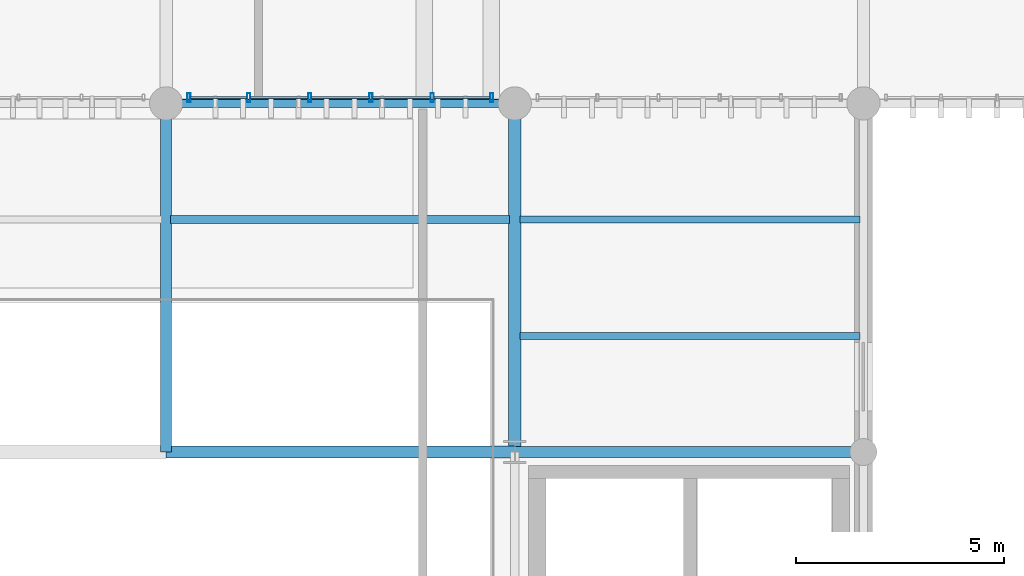
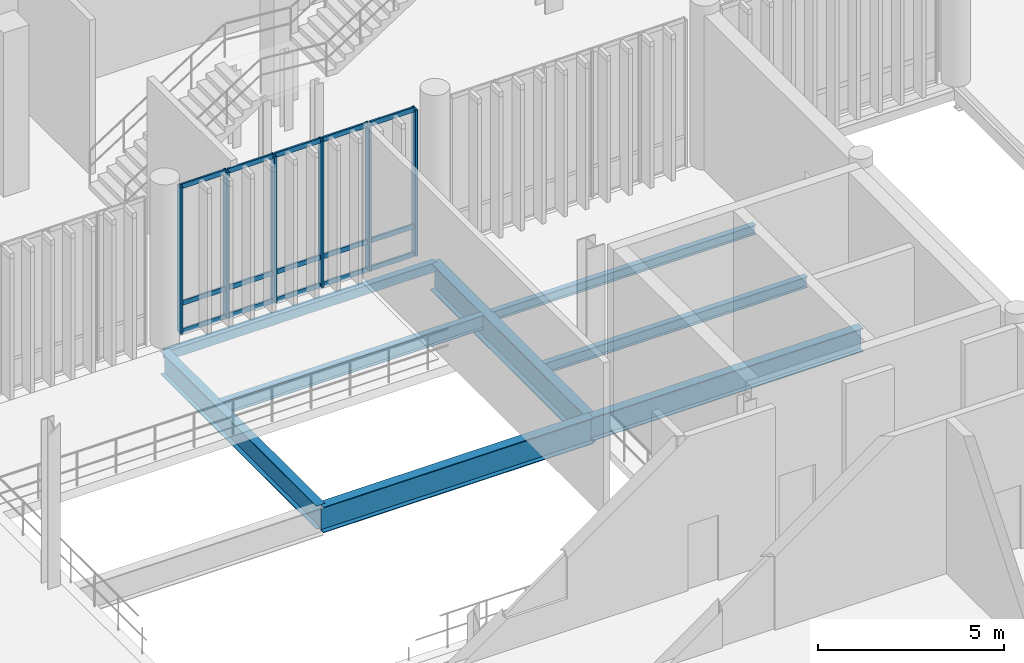
# One storey, part 17 of 128: 21 members, 8 beams, 1 element without a shape of its own.
"""IFC4 building model written with IfcOpenShell, lengths in metres."""

from ifc_helpers import new_model, si_unit, direction, frame, origin_with_axes, origin_2d_with_axis, place, context, subcontext, project, spatial, hollow_rectangle, i_section, extrude, material, material_profile, profile_set, type_object, element, aggregate, save


model = new_model("IFC4")

# Units and contexts
model_context = context("Model", 3, precision=1e-05, world=origin_with_axes(), true_north=direction((0.0, 1.0)))
body_context = subcontext(model_context, "Body", "Model", "MODEL_VIEW")
ifc_project = project(units=[si_unit("LENGTHUNIT", "METRE"), si_unit("AREAUNIT", "SQUARE_METRE"), si_unit("VOLUMEUNIT", "CUBIC_METRE"), si_unit("PLANEANGLEUNIT", "RADIAN"), si_unit("MASSUNIT", "GRAM", prefix="KILO"), si_unit("THERMODYNAMICTEMPERATUREUNIT", "KELVIN")], contexts=[model_context])

# Site, building, storey
site_placement = place(None, origin_with_axes())
site = spatial("IfcSite", under=ifc_project, at=site_placement, CompositionType="ELEMENT")
building_placement = place(site_placement, origin_with_axes())
building = spatial("IfcBuilding", under=site, at=building_placement, Name="Montbau Bow Law Courts", CompositionType="ELEMENT")
storey_placement = place(building_placement, frame((0.0, 0.0, 5.4), z_axis=(0.0, 0.0, 1.0), x_axis=(1.0, 0.0, 0.0)))
storey = spatial("IfcBuildingStorey", under=building, at=storey_placement, Name="L01", CompositionType="ELEMENT", Elevation=5.4)

# Beams
ifc_material_1 = material(Name="Steel CSA G40.21 Grade 350W (350 MPa)", Category="steel")
ifc_material_profile_1 = material_profile(ifc_material_1, i_section(OverallWidth=0.306, OverallDepth=0.919, WebThickness=0.0173, FlangeThickness=0.0279, at=origin_2d_with_axis()), Name="W920X253", Category="Main", Priority=0)
ifc_profile_set_1 = profile_set([ifc_material_profile_1], Name="Steel CSA G40.21 Grade 350W (350 MPa)")
beam_type_1 = type_object("IfcBeamType", Name="B-FLR-01", PredefinedType="BEAM", material=ifc_profile_set_1)
beam_1_placement = place(None, frame((30.6, 22.2, 4.64), z_axis=(0.0, 1.0, 0.0), x_axis=(-1.0, 0.0, 0.0)))
element("IfcBeam", 1, at=beam_1_placement, inside=storey, type_object=beam_type_1, Name="BM-L01-S0514:bm2_0517", PredefinedType="BEAM", context=body_context, shape_type="SweptSolid", body=[
    extrude(i_section(OverallWidth=0.306, OverallDepth=0.919, WebThickness=0.0173, FlangeThickness=0.0279, at=origin_2d_with_axis()), origin_with_axes(), (0.0, 0.0, 1.0), 8.4),
])
ifc_material_profile_2 = material_profile(ifc_material_1, i_section(OverallWidth=0.293, OverallDepth=0.846, WebThickness=0.0154, FlangeThickness=0.0244, at=origin_2d_with_axis()), Name="W840X210", Category="Main", Priority=0)
ifc_profile_set_2 = profile_set([ifc_material_profile_2], Name="Steel CSA G40.21 Grade 350W (350 MPa)")
beam_type_2 = type_object("IfcBeamType", Name="B-FLR-02", PredefinedType="BEAM", material=ifc_profile_set_2)
beam_2_placement = place(None, frame((22.2, 22.2, 4.677), z_axis=(1.0, 0.0, 0.0), x_axis=(0.0, 1.0, 0.0)))
element("IfcBeam", 2, at=beam_2_placement, inside=storey, type_object=beam_type_2, Name="BM-L01-S0498:bm2_0501", PredefinedType="BEAM", context=body_context, shape_type="SweptSolid", body=[
    extrude(i_section(OverallWidth=0.293, OverallDepth=0.846, WebThickness=0.0154, FlangeThickness=0.0244, at=origin_2d_with_axis()), origin_with_axes(), (0.0, 0.0, 1.0), 8.4),
])
ifc_material_profile_3 = material_profile(ifc_material_1, i_section(OverallWidth=0.267, OverallDepth=0.766, WebThickness=0.0149, FlangeThickness=0.0236, at=origin_2d_with_axis()), Name="W760X185", Category="Main", Priority=0)
ifc_profile_set_3 = profile_set([ifc_material_profile_3], Name="Steel CSA G40.21 Grade 350W (350 MPa)")
beam_type_3 = type_object("IfcBeamType", Name="B-FLR-03", PredefinedType="BEAM", material=ifc_profile_set_3)
for number, where, z_axis, x_axis, name in (
    (3, (30.6, 22.2, 4.717), (1.0, 0.0, 0.0), (0.0, 1.0, 0.0), "BM-L01-S0499:bm2_0502"),
    (4, (22.2, 22.2, 4.717), (0.0, 1.0, 0.0), (-1.0, 0.0, 0.0), "BM-L01-S0511:bm2_0514"),
):
    element("IfcBeam", number, at=place(None, frame(where, z_axis=z_axis, x_axis=x_axis)), inside=storey, type_object=beam_type_3, Name=name, PredefinedType="BEAM", context=body_context, shape_type="SweptSolid", body=[
        extrude(i_section(OverallWidth=0.267, OverallDepth=0.766, WebThickness=0.0149, FlangeThickness=0.0236, at=origin_2d_with_axis()), origin_with_axes(), (0.0, 0.0, 1.0), 8.4),
    ])
ifc_material_profile_4 = material_profile(ifc_material_1, i_section(OverallWidth=0.191, OverallDepth=0.46, WebThickness=0.0099, FlangeThickness=0.016, at=origin_2d_with_axis()), Name="W460X82", Category="Main", Priority=0)
ifc_profile_set_4 = profile_set([ifc_material_profile_4], Name="Steel CSA G40.21 Grade 350W (350 MPa)")
beam_type_4 = type_object("IfcBeamType", Name="B-JST-01", PredefinedType="JOIST", material=ifc_profile_set_4)
beam_3_placement = place(None, frame((22.309, 27.8, 4.87), z_axis=(1.0, 0.0, 0.0), x_axis=(0.0, 1.0, 0.0)))
element("IfcBeam", 5, at=beam_3_placement, inside=storey, type_object=beam_type_4, Name="JST-L01-S0244:jst2_0244", PredefinedType="JOIST", context=body_context, shape_type="SweptSolid", body=[
    extrude(i_section(OverallWidth=0.191, OverallDepth=0.46, WebThickness=0.0099, FlangeThickness=0.016, at=origin_2d_with_axis()), origin_with_axes(), (0.0, 0.0, 1.0), 8.162),
])
ifc_material_profile_5 = material_profile(ifc_material_1, i_section(OverallWidth=0.172, OverallDepth=0.358, WebThickness=0.0079, FlangeThickness=0.0131, at=origin_2d_with_axis()), Name="W360X57", Category="Main", Priority=0)
ifc_profile_set_5 = profile_set([ifc_material_profile_5], Name="Steel CSA G40.21 Grade 350W (350 MPa)")
beam_type_5 = type_object("IfcBeamType", Name="B-JST-03", PredefinedType="JOIST", material=ifc_profile_set_5)
beam_4_placement = place(None, frame((30.729, 25.0, 4.921), z_axis=(1.0, 0.0, 0.0), x_axis=(0.0, 1.0, 0.0)))
element("IfcBeam", 6, at=beam_4_placement, inside=storey, type_object=beam_type_5, Name="JST-L01-S0246:jst2_0246", PredefinedType="JOIST", context=body_context, shape_type="SweptSolid", body=[
    extrude(i_section(OverallWidth=0.172, OverallDepth=0.358, WebThickness=0.0079, FlangeThickness=0.0131, at=origin_2d_with_axis()), origin_with_axes(), (0.0, 0.0, 1.0), 8.191),
])
ifc_material_profile_6 = material_profile(ifc_material_1, i_section(OverallWidth=0.166, OverallDepth=0.313, WebThickness=0.0066, FlangeThickness=0.0112, at=origin_2d_with_axis()), Name="W310X45", Category="Main", Priority=0)
ifc_profile_set_6 = profile_set([ifc_material_profile_6], Name="Steel CSA G40.21 Grade 350W (350 MPa)")
beam_type_6 = type_object("IfcBeamType", Name="B-JST-04", PredefinedType="JOIST", material=ifc_profile_set_6)
beam_5_placement = place(None, frame((30.729, 27.8, 4.943), z_axis=(1.0, 0.0, 0.0), x_axis=(0.0, 1.0, 0.0)))
element("IfcBeam", 7, at=beam_5_placement, inside=storey, type_object=beam_type_6, Name="JST-L01-S0247:jst2_0247", PredefinedType="JOIST", context=body_context, shape_type="SweptSolid", body=[
    extrude(i_section(OverallWidth=0.166, OverallDepth=0.313, WebThickness=0.0066, FlangeThickness=0.0112, at=origin_2d_with_axis()), origin_with_axes(), (0.0, 0.0, 1.0), 8.191),
])
ifc_material_2 = material(Name="Steel CSA G40.21 Grade 350WT (350 MPa)", Category="steel")
ifc_material_profile_7 = material_profile(ifc_material_2, hollow_rectangle(XDim=0.203, YDim=0.305, WallThickness=0.0127, InnerFilletRadius=0.0254, OuterFilletRadius=0.0127, at=origin_2d_with_axis()), Name="HSS305X203X13", Category="Main", Priority=0)
ifc_profile_set_7 = profile_set([ifc_material_profile_7], Name="Steel CSA G40.21 Grade 350WT (350 MPa)")
beam_type_7 = type_object("IfcBeamType", Name="B-SPN-02", PredefinedType="SPANDREL", material=ifc_profile_set_7)
beam_6_placement = place(None, frame((22.2, 30.6, 4.947), z_axis=(1.0, 0.0, 0.0), x_axis=(0.0, 1.0, 0.0)))
element("IfcBeam", 8, at=beam_6_placement, inside=storey, type_object=beam_type_7, Name="SPN-L01-S0502:bm2_0505", PredefinedType="SPANDREL", context=body_context, shape_type="SweptSolid", body=[
    extrude(hollow_rectangle(XDim=0.203, YDim=0.305, WallThickness=0.0127, InnerFilletRadius=0.0254, OuterFilletRadius=0.0127, at=origin_2d_with_axis()), origin_with_axes(), (0.0, 0.0, 1.0), 8.4),
])

# Curtain wall, members
ifc_material_3 = material(Name="Thermally Broken Extruded Aluminium AA 6063-T6", Category="aluminium")
curtain_wall_type = type_object("IfcCurtainWallType", Name="CW-TRC-01", PredefinedType="NOTDEFINED", material=ifc_material_3)
curtain_wall_placement = place(None, frame((22.715, 30.74, 5.4), z_axis=(0.0, 0.0, 1.0), x_axis=(1.0, 0.0, 0.0)))
curtain_wall = element("IfcCurtainWall", 9, at=curtain_wall_placement, inside=storey, type_object=curtain_wall_type, Name="CW-L01-018:cw_0018", PredefinedType="NOTDEFINED")
ifc_material_profile_8 = material_profile(ifc_material_3, hollow_rectangle(XDim=0.075, YDim=0.22, WallThickness=0.005, InnerFilletRadius=0.01, OuterFilletRadius=0.005, at=origin_2d_with_axis()), Name="CWM-220X75", Category="Main", Priority=0)
ifc_profile_set_8 = profile_set([ifc_material_profile_8], Name="Thermally Broken Extruded Aluminium AA 6063-T6")
member_type_1 = type_object("IfcMemberType", Name="M-MUL-01", PredefinedType="MULLION", material=ifc_profile_set_8)
member_1_placement = place(None, frame((22.752, 30.74, 5.4), z_axis=(0.0, 0.0, 1.0), x_axis=(1.0, 0.0, 0.0)))
member_1 = element("IfcMember", 10, at=member_1_placement, type_object=member_type_1, Name="CW-L01-018-M01:cw_0018_M01", PredefinedType="MULLION", context=body_context, shape_type="SweptSolid", body=[
    extrude(hollow_rectangle(XDim=0.075, YDim=0.22, WallThickness=0.005, InnerFilletRadius=0.01, OuterFilletRadius=0.005, at=origin_2d_with_axis()), origin_with_axes(), (0.0, 0.0, 1.0), 4.82),
])
member_2_placement = place(None, frame((24.189, 30.74, 5.4), z_axis=(0.0, 0.0, 1.0), x_axis=(1.0, 0.0, 0.0)))
member_2 = element("IfcMember", 11, at=member_2_placement, type_object=member_type_1, Name="CW-L01-018-M02:cw_0018_M02", PredefinedType="MULLION", context=body_context, shape_type="SweptSolid", body=[
    extrude(hollow_rectangle(XDim=0.075, YDim=0.22, WallThickness=0.005, InnerFilletRadius=0.01, OuterFilletRadius=0.005, at=origin_2d_with_axis()), origin_with_axes(), (0.0, 0.0, 1.0), 4.82),
])
member_3_placement = place(None, frame((25.663, 30.74, 5.4), z_axis=(0.0, 0.0, 1.0), x_axis=(1.0, 0.0, 0.0)))
member_3 = element("IfcMember", 12, at=member_3_placement, type_object=member_type_1, Name="CW-L01-018-M03:cw_0018_M03", PredefinedType="MULLION", context=body_context, shape_type="SweptSolid", body=[
    extrude(hollow_rectangle(XDim=0.075, YDim=0.22, WallThickness=0.005, InnerFilletRadius=0.01, OuterFilletRadius=0.005, at=origin_2d_with_axis()), origin_with_axes(), (0.0, 0.0, 1.0), 4.82),
])
member_4_placement = place(None, frame((27.137, 30.74, 5.4), z_axis=(0.0, 0.0, 1.0), x_axis=(1.0, 0.0, 0.0)))
member_4 = element("IfcMember", 13, at=member_4_placement, type_object=member_type_1, Name="CW-L01-018-M04:cw_0018_M04", PredefinedType="MULLION", context=body_context, shape_type="SweptSolid", body=[
    extrude(hollow_rectangle(XDim=0.075, YDim=0.22, WallThickness=0.005, InnerFilletRadius=0.01, OuterFilletRadius=0.005, at=origin_2d_with_axis()), origin_with_axes(), (0.0, 0.0, 1.0), 4.82),
])
member_5_placement = place(None, frame((28.611, 30.74, 5.4), z_axis=(0.0, 0.0, 1.0), x_axis=(1.0, 0.0, 0.0)))
member_5 = element("IfcMember", 14, at=member_5_placement, type_object=member_type_1, Name="CW-L01-018-M05:cw_0018_M05", PredefinedType="MULLION", context=body_context, shape_type="SweptSolid", body=[
    extrude(hollow_rectangle(XDim=0.075, YDim=0.22, WallThickness=0.005, InnerFilletRadius=0.01, OuterFilletRadius=0.005, at=origin_2d_with_axis()), origin_with_axes(), (0.0, 0.0, 1.0), 4.82),
])
member_6_placement = place(None, frame((30.048, 30.74, 5.4), z_axis=(0.0, 0.0, 1.0), x_axis=(1.0, 0.0, 0.0)))
member_6 = element("IfcMember", 15, at=member_6_placement, type_object=member_type_1, Name="CW-L01-018-M06:cw_0018_M06", PredefinedType="MULLION", context=body_context, shape_type="SweptSolid", body=[
    extrude(hollow_rectangle(XDim=0.075, YDim=0.22, WallThickness=0.005, InnerFilletRadius=0.01, OuterFilletRadius=0.005, at=origin_2d_with_axis()), origin_with_axes(), (0.0, 0.0, 1.0), 4.82),
])
ifc_material_profile_9 = material_profile(ifc_material_3, hollow_rectangle(XDim=0.06, YDim=0.16, WallThickness=0.004, InnerFilletRadius=0.008, OuterFilletRadius=0.004, at=origin_2d_with_axis()), Name="CWT-160X60", Category="Main", Priority=0)
ifc_profile_set_9 = profile_set([ifc_material_profile_9], Name="Thermally Broken Extruded Aluminium AA 6063-T6")
member_type_2 = type_object("IfcMemberType", Name="M-TRN-01", PredefinedType="USERDEFINED", material=ifc_profile_set_9)
member_7_placement = place(None, frame((22.791, 30.74, 5.43), z_axis=(1.0, 0.0, 0.0), x_axis=(0.0, 1.0, 0.0)))
member_7 = element("IfcMember", 16, at=member_7_placement, type_object=member_type_2, Name="CW-L01-018-T01-1:cw_0018_T01_1", ObjectType="TRANSOM", PredefinedType="USERDEFINED", context=body_context, shape_type="SweptSolid", body=[
    extrude(hollow_rectangle(XDim=0.06, YDim=0.16, WallThickness=0.004, InnerFilletRadius=0.008, OuterFilletRadius=0.004, at=origin_2d_with_axis()), origin_with_axes(), (0.0, 0.0, 1.0), 1.358),
])
member_8_placement = place(None, frame((22.791, 30.74, 6.35), z_axis=(1.0, 0.0, 0.0), x_axis=(0.0, 1.0, 0.0)))
member_8 = element("IfcMember", 17, at=member_8_placement, type_object=member_type_2, Name="CW-L01-018-T01-2:cw_0018_T01_2", ObjectType="TRANSOM", PredefinedType="USERDEFINED", context=body_context, shape_type="SweptSolid", body=[
    extrude(hollow_rectangle(XDim=0.06, YDim=0.16, WallThickness=0.004, InnerFilletRadius=0.008, OuterFilletRadius=0.004, at=origin_2d_with_axis()), origin_with_axes(), (0.0, 0.0, 1.0), 1.358),
])
member_9_placement = place(None, frame((22.791, 30.74, 10.19), z_axis=(1.0, 0.0, 0.0), x_axis=(0.0, 1.0, 0.0)))
member_9 = element("IfcMember", 18, at=member_9_placement, type_object=member_type_2, Name="CW-L01-018-T01-3:cw_0018_T01_3", ObjectType="TRANSOM", PredefinedType="USERDEFINED", context=body_context, shape_type="SweptSolid", body=[
    extrude(hollow_rectangle(XDim=0.06, YDim=0.16, WallThickness=0.004, InnerFilletRadius=0.008, OuterFilletRadius=0.004, at=origin_2d_with_axis()), origin_with_axes(), (0.0, 0.0, 1.0), 1.358),
])
member_10_placement = place(None, frame((24.229, 30.74, 5.43), z_axis=(1.0, 0.0, 0.0), x_axis=(0.0, 1.0, 0.0)))
member_10 = element("IfcMember", 19, at=member_10_placement, type_object=member_type_2, Name="CW-L01-018-T02-1:cw_0018_T02_1", ObjectType="TRANSOM", PredefinedType="USERDEFINED", context=body_context, shape_type="SweptSolid", body=[
    extrude(hollow_rectangle(XDim=0.06, YDim=0.16, WallThickness=0.004, InnerFilletRadius=0.008, OuterFilletRadius=0.004, at=origin_2d_with_axis()), origin_with_axes(), (0.0, 0.0, 1.0), 1.395),
])
member_11_placement = place(None, frame((24.229, 30.74, 6.35), z_axis=(1.0, 0.0, 0.0), x_axis=(0.0, 1.0, 0.0)))
member_11 = element("IfcMember", 20, at=member_11_placement, type_object=member_type_2, Name="CW-L01-018-T02-2:cw_0018_T02_2", ObjectType="TRANSOM", PredefinedType="USERDEFINED", context=body_context, shape_type="SweptSolid", body=[
    extrude(hollow_rectangle(XDim=0.06, YDim=0.16, WallThickness=0.004, InnerFilletRadius=0.008, OuterFilletRadius=0.004, at=origin_2d_with_axis()), origin_with_axes(), (0.0, 0.0, 1.0), 1.395),
])
member_12_placement = place(None, frame((24.229, 30.74, 10.19), z_axis=(1.0, 0.0, 0.0), x_axis=(0.0, 1.0, 0.0)))
member_12 = element("IfcMember", 21, at=member_12_placement, type_object=member_type_2, Name="CW-L01-018-T02-3:cw_0018_T02_3", ObjectType="TRANSOM", PredefinedType="USERDEFINED", context=body_context, shape_type="SweptSolid", body=[
    extrude(hollow_rectangle(XDim=0.06, YDim=0.16, WallThickness=0.004, InnerFilletRadius=0.008, OuterFilletRadius=0.004, at=origin_2d_with_axis()), origin_with_axes(), (0.0, 0.0, 1.0), 1.395),
])
member_13_placement = place(None, frame((25.702, 30.74, 5.43), z_axis=(1.0, 0.0, 0.0), x_axis=(0.0, 1.0, 0.0)))
member_13 = element("IfcMember", 22, at=member_13_placement, type_object=member_type_2, Name="CW-L01-018-T03-1:cw_0018_T03_1", ObjectType="TRANSOM", PredefinedType="USERDEFINED", context=body_context, shape_type="SweptSolid", body=[
    extrude(hollow_rectangle(XDim=0.06, YDim=0.16, WallThickness=0.004, InnerFilletRadius=0.008, OuterFilletRadius=0.004, at=origin_2d_with_axis()), origin_with_axes(), (0.0, 0.0, 1.0), 1.396),
])
member_14_placement = place(None, frame((25.702, 30.74, 6.35), z_axis=(1.0, 0.0, 0.0), x_axis=(0.0, 1.0, 0.0)))
member_14 = element("IfcMember", 23, at=member_14_placement, type_object=member_type_2, Name="CW-L01-018-T03-2:cw_0018_T03_2", ObjectType="TRANSOM", PredefinedType="USERDEFINED", context=body_context, shape_type="SweptSolid", body=[
    extrude(hollow_rectangle(XDim=0.06, YDim=0.16, WallThickness=0.004, InnerFilletRadius=0.008, OuterFilletRadius=0.004, at=origin_2d_with_axis()), origin_with_axes(), (0.0, 0.0, 1.0), 1.396),
])
member_15_placement = place(None, frame((25.702, 30.74, 10.19), z_axis=(1.0, 0.0, 0.0), x_axis=(0.0, 1.0, 0.0)))
member_15 = element("IfcMember", 24, at=member_15_placement, type_object=member_type_2, Name="CW-L01-018-T03-3:cw_0018_T03_3", ObjectType="TRANSOM", PredefinedType="USERDEFINED", context=body_context, shape_type="SweptSolid", body=[
    extrude(hollow_rectangle(XDim=0.06, YDim=0.16, WallThickness=0.004, InnerFilletRadius=0.008, OuterFilletRadius=0.004, at=origin_2d_with_axis()), origin_with_axes(), (0.0, 0.0, 1.0), 1.396),
])
member_16_placement = place(None, frame((27.176, 30.74, 5.43), z_axis=(1.0, 0.0, 0.0), x_axis=(0.0, 1.0, 0.0)))
member_16 = element("IfcMember", 25, at=member_16_placement, type_object=member_type_2, Name="CW-L01-018-T04-1:cw_0018_T04_1", ObjectType="TRANSOM", PredefinedType="USERDEFINED", context=body_context, shape_type="SweptSolid", body=[
    extrude(hollow_rectangle(XDim=0.06, YDim=0.16, WallThickness=0.004, InnerFilletRadius=0.008, OuterFilletRadius=0.004, at=origin_2d_with_axis()), origin_with_axes(), (0.0, 0.0, 1.0), 1.396),
])
member_17_placement = place(None, frame((27.176, 30.74, 6.35), z_axis=(1.0, 0.0, 0.0), x_axis=(0.0, 1.0, 0.0)))
member_17 = element("IfcMember", 26, at=member_17_placement, type_object=member_type_2, Name="CW-L01-018-T04-2:cw_0018_T04_2", ObjectType="TRANSOM", PredefinedType="USERDEFINED", context=body_context, shape_type="SweptSolid", body=[
    extrude(hollow_rectangle(XDim=0.06, YDim=0.16, WallThickness=0.004, InnerFilletRadius=0.008, OuterFilletRadius=0.004, at=origin_2d_with_axis()), origin_with_axes(), (0.0, 0.0, 1.0), 1.396),
])
member_18_placement = place(None, frame((27.176, 30.74, 10.19), z_axis=(1.0, 0.0, 0.0), x_axis=(0.0, 1.0, 0.0)))
member_18 = element("IfcMember", 27, at=member_18_placement, type_object=member_type_2, Name="CW-L01-018-T04-3:cw_0018_T04_3", ObjectType="TRANSOM", PredefinedType="USERDEFINED", context=body_context, shape_type="SweptSolid", body=[
    extrude(hollow_rectangle(XDim=0.06, YDim=0.16, WallThickness=0.004, InnerFilletRadius=0.008, OuterFilletRadius=0.004, at=origin_2d_with_axis()), origin_with_axes(), (0.0, 0.0, 1.0), 1.396),
])
member_19_placement = place(None, frame((28.65, 30.74, 5.43), z_axis=(1.0, 0.0, 0.0), x_axis=(0.0, 1.0, 0.0)))
member_19 = element("IfcMember", 28, at=member_19_placement, type_object=member_type_2, Name="CW-L01-018-T05-1:cw_0018_T05_1", ObjectType="TRANSOM", PredefinedType="USERDEFINED", context=body_context, shape_type="SweptSolid", body=[
    extrude(hollow_rectangle(XDim=0.06, YDim=0.16, WallThickness=0.004, InnerFilletRadius=0.008, OuterFilletRadius=0.004, at=origin_2d_with_axis()), origin_with_axes(), (0.0, 0.0, 1.0), 1.359),
])
member_20_placement = place(None, frame((28.65, 30.74, 6.35), z_axis=(1.0, 0.0, 0.0), x_axis=(0.0, 1.0, 0.0)))
member_20 = element("IfcMember", 29, at=member_20_placement, type_object=member_type_2, Name="CW-L01-018-T05-2:cw_0018_T05_2", ObjectType="TRANSOM", PredefinedType="USERDEFINED", context=body_context, shape_type="SweptSolid", body=[
    extrude(hollow_rectangle(XDim=0.06, YDim=0.16, WallThickness=0.004, InnerFilletRadius=0.008, OuterFilletRadius=0.004, at=origin_2d_with_axis()), origin_with_axes(), (0.0, 0.0, 1.0), 1.359),
])
member_21_placement = place(None, frame((28.65, 30.74, 10.19), z_axis=(1.0, 0.0, 0.0), x_axis=(0.0, 1.0, 0.0)))
member_21 = element("IfcMember", 30, at=member_21_placement, type_object=member_type_2, Name="CW-L01-018-T05-3:cw_0018_T05_3", ObjectType="TRANSOM", PredefinedType="USERDEFINED", context=body_context, shape_type="SweptSolid", body=[
    extrude(hollow_rectangle(XDim=0.06, YDim=0.16, WallThickness=0.004, InnerFilletRadius=0.008, OuterFilletRadius=0.004, at=origin_2d_with_axis()), origin_with_axes(), (0.0, 0.0, 1.0), 1.359),
])
aggregate(curtain_wall, [member_1, member_2, member_3, member_4, member_5, member_6, member_7, member_8, member_9, member_10, member_11, member_12, member_13, member_14, member_15, member_16, member_17, member_18, member_19, member_20, member_21])

save(model, "model.ifc")
